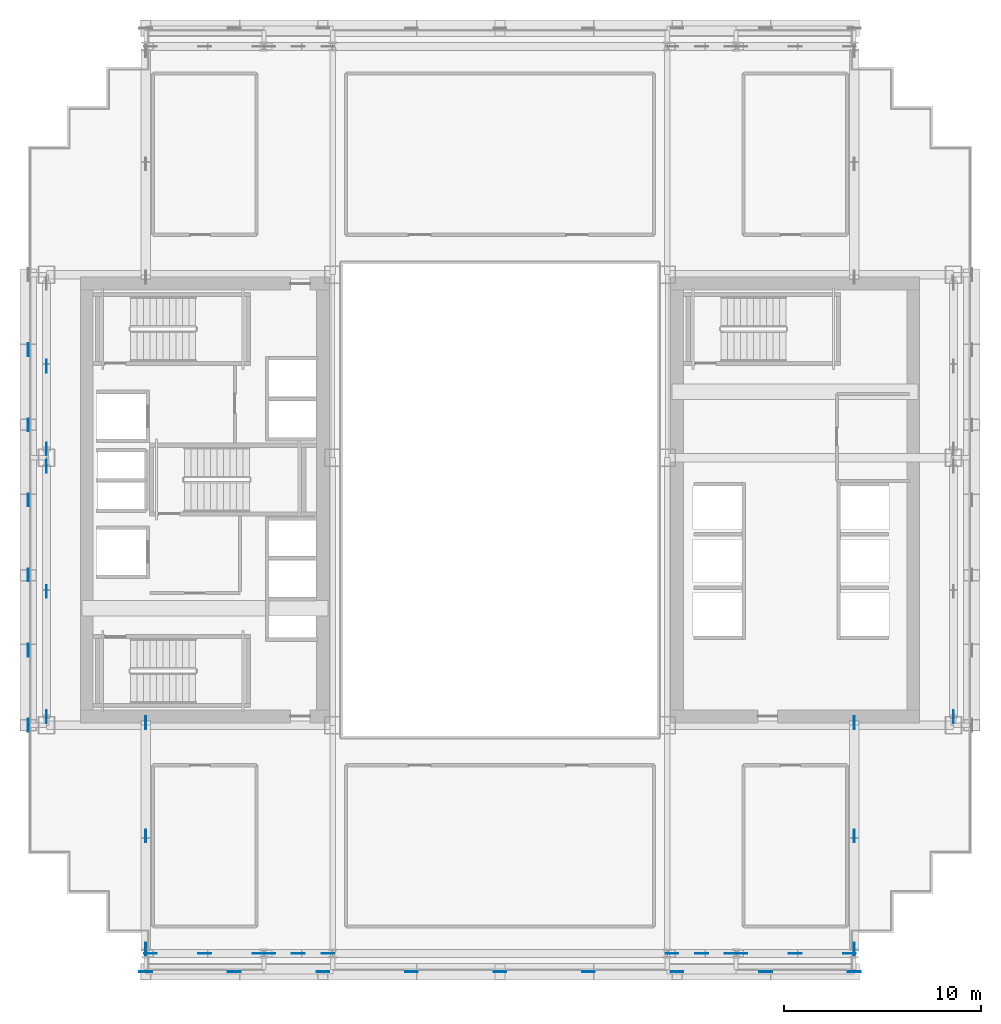
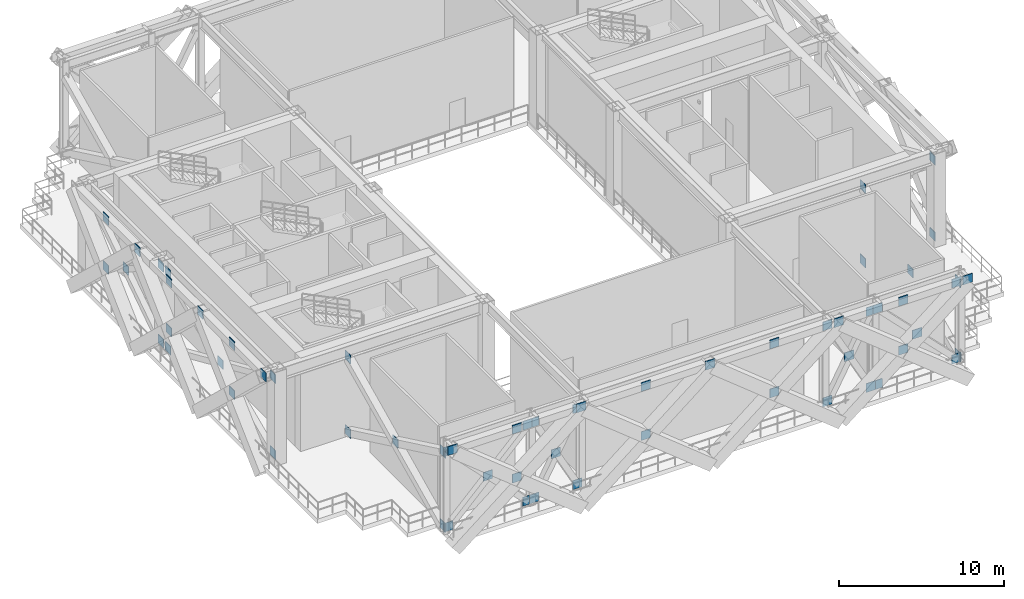
# One storey, part 4 of 14: 62 plates.
"""IFC4 building model written with IfcOpenShell, lengths in metres."""

from ifc_helpers import new_model, si_unit, direction, frame, origin, origin_2d, place, context, subcontext, project, spatial, rectangle, extrude, source, transform, mapped, material, layer, layer_set, type_object, element, save


model = new_model("IFC4")

# Units and contexts
model_context = context("Model", 3, precision=1e-05, world=origin(), true_north=direction((0.0, 1.0)))
body_context = subcontext(model_context, "Body", "Model", "MODEL_VIEW")
ifc_project = project(units=[si_unit("LENGTHUNIT", "METRE"), si_unit("AREAUNIT", "SQUARE_METRE"), si_unit("VOLUMEUNIT", "CUBIC_METRE"), si_unit("PLANEANGLEUNIT", "RADIAN"), si_unit("MASSUNIT", "GRAM", prefix="KILO")], contexts=[model_context])

# Site, building, storey
site_placement = place(None, origin())
site = spatial("IfcSite", under=ifc_project, at=site_placement, CompositionType="ELEMENT")
building_placement = place(site_placement, origin())
building = spatial("IfcBuilding", under=site, at=building_placement, Name="Ocotamira Hotel", CompositionType="ELEMENT")
storey_placement = place(building_placement, frame((0.0, 0.0, 85.199951171875)))
storey = spatial("IfcBuildingStorey", under=building, at=storey_placement, Name="L21", CompositionType="ELEMENT", Elevation=85.199951171875)

# Plates
ifc_material = material(Name="Pale-metal coated steel ASTM A572 Grade 50", Category="steel")
ifc_layer = layer(ifc_material, 0.0400390625)
ifc_layer_set = layer_set([ifc_layer], Name="Pale-metal coated steel ASTM A572 Grade 50")
plate_type = type_object("IfcPlateType", Name="PLT-GUSSET-40", PredefinedType="SHEET", material=ifc_layer_set)
shared_shape_1 = source(origin(), body_context, "Body", "SweptSolid", [
    extrude(rectangle(XDim=0.64990234375, YDim=0.0400390625, at=origin_2d()), origin(), (0.0, 0.0, 1.0), 0.64990234375),
])
for number, where, z_axis, x_axis, name in (
    (1, (14.239990234375, 2.949951171875, 0.025146484375), (0.0, 0.0, 1.0), (1.0, 0.0, 0.0), "L21 Belt Truss Diagonal 14,2.95 A End Gusset A"),
    (2, (19.760009765625, 2.949951171875, 5.635009765625), (0.0, 0.0, 1.0), (1.0, 0.0, 0.0), "L21 Belt Truss Diagonal 14,2.95 A End Gusset B"),
    (3, (17.0, 2.949951171875, 2.830078125), (0.0, 0.0, 1.0), (1.0, 0.0, 0.0), "L21 Belt Truss Diagonal 14,2.95 B Crossing Gusset Plate"),
    (4, (14.239990234375, 2.949951171875, 5.635009765625), (0.0, 0.0, 1.0), (1.0, 0.0, 0.0), "L21 Belt Truss Diagonal 14,2.95 B End Gusset A"),
    (5, (19.760009765625, 2.949951171875, 0.025146484375), (0.0, 0.0, 1.0), (1.0, 0.0, 0.0), "L21 Belt Truss Diagonal 14,2.95 B End Gusset B"),
    (6, (20.239990234375, 2.949951171875, 0.025146484375), (0.0, 0.0, 1.0), (1.0, 0.0, 0.0), "L21 Belt Truss Diagonal 20,2.95 A End Gusset A"),
    (7, (23.260009765625, 2.949951171875, 5.635009765625), (0.0, 0.0, 1.0), (1.0, 0.0, 0.0), "L21 Belt Truss Diagonal 20,2.95 A End Gusset B"),
    (8, (21.75, 2.949951171875, 2.830078125), (0.0, 0.0, 1.0), (1.0, 0.0, 0.0), "L21 Belt Truss Diagonal 20,2.95 B Crossing Gusset Plate"),
    (9, (20.239990234375, 2.949951171875, 5.635009765625), (0.0, 0.0, 1.0), (1.0, 0.0, 0.0), "L21 Belt Truss Diagonal 20,2.95 B End Gusset A"),
    (10, (23.260009765625, 2.949951171875, 0.025146484375), (0.0, 0.0, 1.0), (1.0, 0.0, 0.0), "L21 Belt Truss Diagonal 20,2.95 B End Gusset B"),
    (11, (40.739990234375, 2.949951171875, 0.025146484375), (0.0, 0.0, 1.0), (1.0, 0.0, 0.0), "L21 Belt Truss Diagonal 40.5,2.95 A End Gusset A"),
    (12, (43.760009765625, 2.949951171875, 5.635009765625), (0.0, 0.0, 1.0), (1.0, 0.0, 0.0), "L21 Belt Truss Diagonal 40.5,2.95 A End Gusset B"),
    (13, (42.25, 2.949951171875, 2.830078125), (0.0, 0.0, 1.0), (1.0, 0.0, 0.0), "L21 Belt Truss Diagonal 40.5,2.95 B Crossing Gusset Plate"),
    (14, (40.739990234375, 2.949951171875, 5.635009765625), (0.0, 0.0, 1.0), (1.0, 0.0, 0.0), "L21 Belt Truss Diagonal 40.5,2.95 B End Gusset A"),
    (15, (43.760009765625, 2.949951171875, 0.025146484375), (0.0, 0.0, 1.0), (1.0, 0.0, 0.0), "L21 Belt Truss Diagonal 40.5,2.95 B End Gusset B"),
    (16, (44.239990234375, 2.949951171875, 0.025146484375), (0.0, 0.0, 1.0), (1.0, 0.0, 0.0), "L21 Belt Truss Diagonal 44,2.95 A End Gusset A"),
    (17, (49.760009765625, 2.949951171875, 5.635009765625), (0.0, 0.0, 1.0), (1.0, 0.0, 0.0), "L21 Belt Truss Diagonal 44,2.95 A End Gusset B"),
    (18, (47.0, 2.949951171875, 2.830078125), (0.0, 0.0, 1.0), (1.0, 0.0, 0.0), "L21 Belt Truss Diagonal 44,2.95 B Crossing Gusset Plate"),
    (19, (44.239990234375, 2.949951171875, 5.635009765625), (0.0, 0.0, 1.0), (1.0, 0.0, 0.0), "L21 Belt Truss Diagonal 44,2.95 B End Gusset A"),
    (20, (49.760009765625, 2.949951171875, 0.025146484375), (0.0, 0.0, 1.0), (1.0, 0.0, 0.0), "L21 Belt Truss Diagonal 44,2.95 B End Gusset B"),
    (21, (23.0, 2.030029296875, 6.34521484375), (0.0, 0.0, 1.0), (1.0, 0.0, 0.0), "L21 Exoskeleton Diagrid S0.1 End Gusset B"),
    (22, (18.5, 2.030029296875, 2.72509765625), (0.0, 0.0, 1.0), (-1.0, 0.0, 0.0), "L21 Exoskeleton Diagrid S0.2 Crossing Gusset Plate"),
    (23, (14.0, 2.030029296875, 6.34521484375), (0.0, 0.0, 1.0), (-1.0, 0.0, 0.0), "L21 Exoskeleton Diagrid S0.2 End Gusset B"),
    (24, (32.0, 2.030029296875, 6.34521484375), (0.0, 0.0, 1.0), (1.0, 0.0, 0.0), "L21 Exoskeleton Diagrid S1.1 End Gusset B"),
    (25, (27.5, 2.030029296875, 2.72509765625), (0.0, 0.0, 1.0), (-1.0, 0.0, 0.0), "L21 Exoskeleton Diagrid S1.2 Crossing Gusset Plate"),
    (26, (41.0, 2.030029296875, 6.34521484375), (0.0, 0.0, 1.0), (1.0, 0.0, 0.0), "L21 Exoskeleton Diagrid S2.1 End Gusset B"),
    (27, (36.5, 2.030029296875, 2.72509765625), (0.0, 0.0, 1.0), (-1.0, 0.0, 0.0), "L21 Exoskeleton Diagrid S2.2 Crossing Gusset Plate"),
    (28, (50.0, 2.030029296875, 6.34521484375), (0.0, 0.0, 1.0), (1.0, 0.0, 0.0), "L21 Exoskeleton Diagrid S3.1 End Gusset B"),
    (29, (45.5, 2.030029296875, 2.72509765625), (0.0, 0.0, 1.0), (-1.0, 0.0, 0.0), "L21 Exoskeleton Diagrid S3.2 Crossing Gusset Plate"),
    (30, (18.5, 2.030029296875, 6.34521484375), (0.0, 0.0, 1.0), (-1.0, 0.0, 0.0), "L21 Exoskeleton Diagrid S0.1 End Gusset A"),
    (31, (27.5, 2.030029296875, 6.34521484375), (0.0, 0.0, 1.0), (-1.0, 0.0, 0.0), "L21 Exoskeleton Diagrid S1.1 End Gusset A"),
    (32, (36.5, 2.030029296875, 6.34521484375), (0.0, 0.0, 1.0), (-1.0, 0.0, 0.0), "L21 Exoskeleton Diagrid S2.1 End Gusset A"),
    (33, (45.5, 2.030029296875, 6.34521484375), (0.0, 0.0, 1.0), (-1.0, 0.0, 0.0), "L21 Exoskeleton Diagrid S3.1 End Gusset A"),
):
    element("IfcPlate", number, at=place(storey_placement, frame(where, z_axis=z_axis, x_axis=x_axis)), inside=storey, type_object=plate_type, Name=name, PredefinedType="SHEET", context=body_context, shape_type="MappedRepresentation", body=[
        mapped(shared_shape_1, transform((0.0, 0.0, 0.0), scale=1.0)),
    ])
shared_shape_2 = source(origin(), body_context, "Body", "SweptSolid", [
    extrude(rectangle(XDim=0.0400390625, YDim=0.64990234375, at=origin_2d()), origin(), (0.0, 0.0, 1.0), 0.64990234375),
])
for number, where, z_axis, x_axis, name in (
    (34, (14.0, 14.675048828125, 0.025146484375), (0.0, 0.0, 1.0), (1.0, 0.0, 0.0), "L21 Outrigger Truss S X14 A End Gusset A"),
    (35, (14.0, 3.179931640625, 5.51513671875), (0.0, 0.0, 1.0), (1.0, 0.0, 0.0), "L21 Outrigger Truss S X14 A End Gusset B"),
    (36, (14.0, 8.927490234375, 2.77001953125), (0.0, 0.0, 1.0), (1.0, 0.0, 0.0), "L21 Outrigger Truss S X14 B Crossing Gusset Plate"),
    (37, (14.0, 14.675048828125, 5.51513671875), (0.0, 0.0, 1.0), (1.0, 0.0, 0.0), "L21 Outrigger Truss S X14 B End Gusset A"),
    (38, (14.0, 3.179931640625, 0.025146484375), (0.0, 0.0, 1.0), (1.0, 0.0, 0.0), "L21 Outrigger Truss S X14 B End Gusset B"),
    (39, (50.0, 14.675048828125, 0.025146484375), (0.0, 0.0, 1.0), (1.0, 0.0, 0.0), "L21 Outrigger Truss S X50 A End Gusset A"),
    (40, (50.0, 3.179931640625, 5.51513671875), (0.0, 0.0, 1.0), (1.0, 0.0, 0.0), "L21 Outrigger Truss S X50 A End Gusset B"),
    (41, (50.0, 8.927490234375, 2.77001953125), (0.0, 0.0, 1.0), (1.0, 0.0, 0.0), "L21 Outrigger Truss S X50 B Crossing Gusset Plate"),
    (42, (50.0, 14.675048828125, 5.51513671875), (0.0, 0.0, 1.0), (1.0, 0.0, 0.0), "L21 Outrigger Truss S X50 B End Gusset A"),
    (43, (50.0, 3.179931640625, 0.025146484375), (0.0, 0.0, 1.0), (1.0, 0.0, 0.0), "L21 Outrigger Truss S X50 B End Gusset B"),
    (44, (8.949951171875, 14.989990234375, 0.025146484375), (0.0, 0.0, 1.0), (1.0, 0.0, 0.0), "L21 Belt Truss Diagonal 8.95,14.55 A End Gusset A"),
    (45, (8.949951171875, 27.7099609375, 5.635009765625), (0.0, 0.0, 1.0), (1.0, 0.0, 0.0), "L21 Belt Truss Diagonal 8.95,14.55 A End Gusset B"),
    (46, (8.949951171875, 21.35009765625, 2.830078125), (0.0, 0.0, 1.0), (1.0, 0.0, 0.0), "L21 Belt Truss Diagonal 8.95,14.55 B Crossing Gusset Plate"),
    (47, (8.949951171875, 14.989990234375, 5.635009765625), (0.0, 0.0, 1.0), (1.0, 0.0, 0.0), "L21 Belt Truss Diagonal 8.95,14.55 B End Gusset A"),
    (48, (8.949951171875, 27.7099609375, 0.025146484375), (0.0, 0.0, 1.0), (1.0, 0.0, 0.0), "L21 Belt Truss Diagonal 8.95,14.55 B End Gusset B"),
    (49, (8.949951171875, 28.590087890625, 0.025146484375), (0.0, 0.0, 1.0), (1.0, 0.0, 0.0), "L21 Belt Truss Diagonal 8.95,28.15 A End Gusset A"),
    (50, (8.949951171875, 32.800048828125, 2.830078125), (0.0, 0.0, 1.0), (1.0, 0.0, 0.0), "L21 Belt Truss Diagonal 8.95,28.15 B Crossing Gusset Plate"),
    (51, (8.949951171875, 28.590087890625, 5.635009765625), (0.0, 0.0, 1.0), (1.0, 0.0, 0.0), "L21 Belt Truss Diagonal 8.95,28.15 B End Gusset A"),
    (52, (55.050048828125, 14.989990234375, 0.025146484375), (0.0, 0.0, 1.0), (1.0, 0.0, 0.0), "L21 Belt Truss Diagonal 55.05,14.55 A End Gusset A"),
    (53, (55.050048828125, 14.989990234375, 5.635009765625), (0.0, 0.0, 1.0), (1.0, 0.0, 0.0), "L21 Belt Truss Diagonal 55.05,14.55 B End Gusset A"),
    (54, (8.030029296875, 22.183349609375, 6.34521484375), (0.0, 0.0, 1.0), (1.0, 0.0, 0.0), "L21 Exoskeleton Diagrid W0.1 End Gusset B"),
    (55, (8.030029296875, 18.36669921875, 2.72509765625), (0.0, 0.0, 1.0), (1.0, 0.0, 0.0), "L21 Exoskeleton Diagrid W0.2 Crossing Gusset Plate"),
    (56, (8.030029296875, 14.550048828125, 6.34521484375), (0.0, 0.0, 1.0), (1.0, 0.0, 0.0), "L21 Exoskeleton Diagrid W0.2 End Gusset B"),
    (57, (8.030029296875, 29.816650390625, 6.34521484375), (0.0, 0.0, 1.0), (1.0, 0.0, 0.0), "L21 Exoskeleton Diagrid W1.1 End Gusset B"),
    (58, (8.030029296875, 26.0, 2.72509765625), (0.0, 0.0, 1.0), (1.0, 0.0, 0.0), "L21 Exoskeleton Diagrid W1.2 Crossing Gusset Plate"),
    (59, (8.030029296875, 33.63330078125, 2.72509765625), (0.0, 0.0, 1.0), (1.0, 0.0, 0.0), "L21 Exoskeleton Diagrid W2.2 Crossing Gusset Plate"),
    (60, (8.030029296875, 18.36669921875, 6.34521484375), (0.0, 0.0, 1.0), (1.0, 0.0, 0.0), "L21 Exoskeleton Diagrid W0.1 End Gusset A"),
    (61, (8.030029296875, 26.0, 6.34521484375), (0.0, 0.0, 1.0), (1.0, 0.0, 0.0), "L21 Exoskeleton Diagrid W1.1 End Gusset A"),
    (62, (8.030029296875, 33.63330078125, 6.34521484375), (0.0, 0.0, 1.0), (1.0, 0.0, 0.0), "L21 Exoskeleton Diagrid W2.1 End Gusset A"),
):
    element("IfcPlate", number, at=place(storey_placement, frame(where, z_axis=z_axis, x_axis=x_axis)), inside=storey, type_object=plate_type, Name=name, PredefinedType="SHEET", context=body_context, shape_type="MappedRepresentation", body=[
        mapped(shared_shape_2, transform((0.0, 0.0, 0.0), scale=1.0)),
    ])

save(model, "model.ifc")
